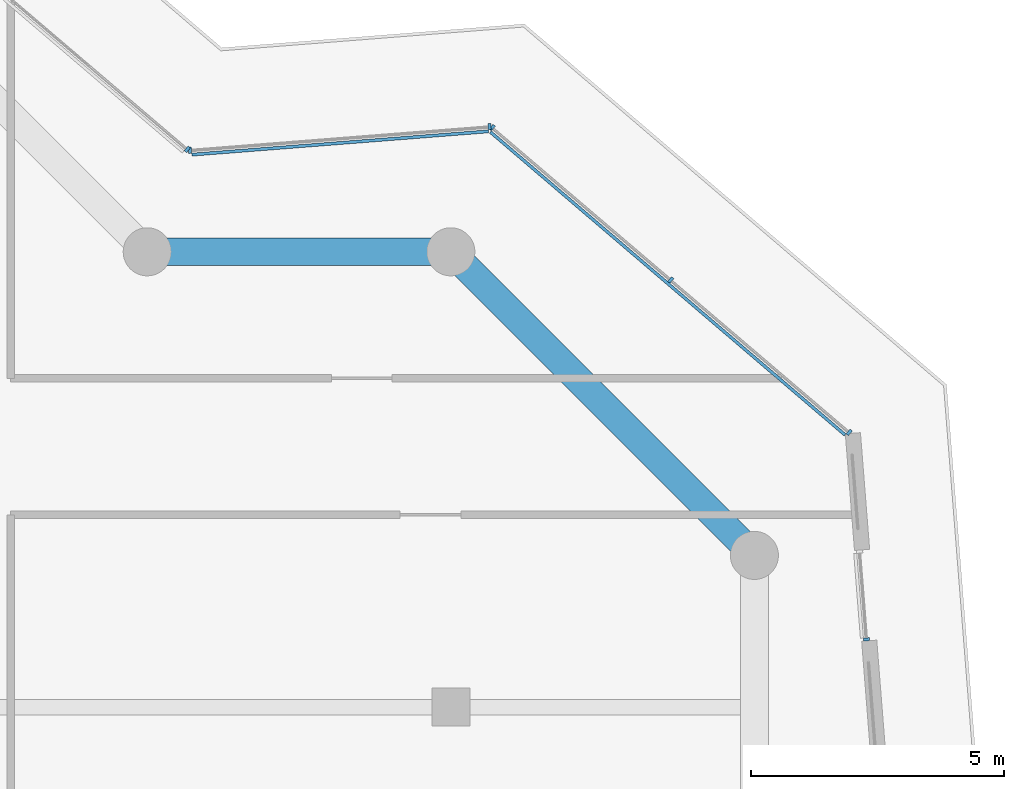
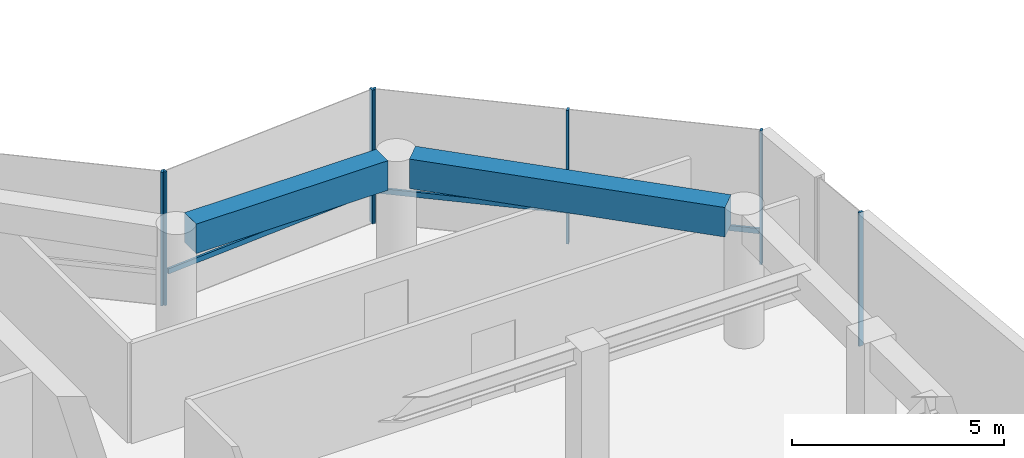
# One storey, part 8 of 23: 9 members, 2 beams, 4 elements without a shape of their own.
"""IFC4 building model written with IfcOpenShell, lengths in metres."""

import ifcopenshell
import ifcopenshell.guid

model = None  # the IFC model being written
_history = None  # IfcOwnerHistory: only IFC2X3 demands one
_inside = {}  # id of a spatial element -> (the spatial element, [elements in it])
_under = {}  # id of a project, library or spatial element -> (it, [spatial elements below it])
_declared = {}  # id of a project -> (the project, [libraries it declares])
_typed = {}  # id of a type object -> (the type object, [elements of that type])
_made_of = {}  # id of a material, layer set ... -> (it, [elements and type objects made of it])


def new_model(schema):
    """Start an empty IFC model of exactly this schema.

    Asked for "IFC4X3", IfcOpenShell would pick the latest addendum, in which some entities
    have other attributes; the version numbers below select the first issue.
    IFC2X3 requires an IfcOwnerHistory on every rooted entity: one is made here for all.
    """
    global model, _history
    if schema == "IFC4X3":
        model = ifcopenshell.file(schema_version=(4, 3, 0, 0))
    else:
        model = ifcopenshell.file(schema=schema)
    _inside.clear()
    _under.clear()
    _declared.clear()
    _typed.clear()
    _made_of.clear()
    _history = None
    if model.schema == "IFC2X3":
        org = make("IfcOrganization", Name="unknown")
        user = make(
            "IfcPersonAndOrganization",
            ThePerson=make("IfcPerson", FamilyName="unknown"),
            TheOrganization=org,
        )
        app = make(
            "IfcApplication",
            ApplicationDeveloper=org,
            Version="unknown",
            ApplicationFullName="unknown",
            ApplicationIdentifier="unknown",
        )
        _history = make(
            "IfcOwnerHistory",
            OwningUser=user,
            OwningApplication=app,
            ChangeAction="ADDED",
            CreationDate=0,
        )
    return model


def make(cls, **values):
    """One entity of the class cls with the attributes given. An attribute that is None is left unset."""
    return model.create_entity(
        cls, **{name: value for name, value in values.items() if value is not None}
    )


def rooted(cls, **values):
    """An entity with a GlobalId (a new one), such as an element, a storey or a relation."""
    return make(cls, GlobalId=ifcopenshell.guid.new(), OwnerHistory=_history, **values)


def si_unit(unit_type, name, prefix=None):
    """IfcSIUnit, for example si_unit("LENGTHUNIT", "METRE", prefix="MILLI")."""
    return make("IfcSIUnit", UnitType=unit_type, Prefix=prefix, Name=name)


def assignment(units):
    """IfcUnitAssignment: the units of a project."""
    return None if units is None else make("IfcUnitAssignment", Units=units)


def point(xyz):
    """IfcCartesianPoint."""
    return None if xyz is None else make("IfcCartesianPoint", Coordinates=xyz)


def direction(xyz):
    """IfcDirection."""
    return None if xyz is None else make("IfcDirection", DirectionRatios=xyz)


def frame(location, z_axis=None, x_axis=None):
    """IfcAxis2Placement3D, a coordinate frame: its origin and axes. An axis left out is left unset."""
    return make(
        "IfcAxis2Placement3D",
        Location=point(location),
        Axis=direction(z_axis),
        RefDirection=direction(x_axis),
    )


def frame_2d(location, x_axis=None):
    """IfcAxis2Placement2D, a coordinate frame in the plane: its origin and x axis."""
    return make(
        "IfcAxis2Placement2D", Location=point(location), RefDirection=direction(x_axis)
    )


def origin():
    """The frame at (0, 0, 0) with its axes left unset."""
    return frame((0.0, 0.0, 0.0))


def origin_2d():
    """The frame at (0, 0) in the plane with its x axis left unset."""
    return frame_2d((0.0, 0.0))


def place(relative_to, where):
    """IfcLocalPlacement: puts the frame where relative to a parent placement (None: the world)."""
    return make(
        "IfcLocalPlacement", PlacementRelTo=relative_to, RelativePlacement=where
    )


def context(
    kind, dimensions, precision=None, world=None, true_north=None, identifier=None
):
    """IfcGeometricRepresentationContext, for example the 3D "Model" context."""
    return make(
        "IfcGeometricRepresentationContext",
        ContextIdentifier=identifier,
        ContextType=kind,
        CoordinateSpaceDimension=dimensions,
        Precision=precision,
        WorldCoordinateSystem=world,
        TrueNorth=true_north,
    )


def subcontext(parent, identifier, kind, view, scale=None):
    """IfcGeometricRepresentationSubContext, for example "Body" below "Model"."""
    return make(
        "IfcGeometricRepresentationSubContext",
        ContextIdentifier=identifier,
        ContextType=kind,
        ParentContext=parent,
        TargetScale=scale,
        TargetView=view,
    )


def project(units=None, contexts=None):
    """IfcProject with its units and contexts."""
    return rooted(
        "IfcProject",
        Name="project",
        RepresentationContexts=contexts,
        UnitsInContext=assignment(units),
    )


def spatial(cls, under=None, at=None, **own):
    """A site, building, storey or space (cls), placed at a placement, below another one or the project."""
    s = rooted(cls, ObjectPlacement=at, **own)
    if under is not None:
        _under.setdefault(under.id(), (under, []))[1].append(s)
    return s


def profile(cls, at=None, kind="AREA", **sizes):
    """A parametric profile (cls). Its sizes go by their IFC names, for example OverallWidth=200.0."""
    return make(cls, ProfileType=kind, Position=at, **sizes)


def rectangle(**sizes):
    """IfcRectangleProfileDef."""
    return profile("IfcRectangleProfileDef", **sizes)


def extrude(swept, where, along, depth):
    """IfcExtrudedAreaSolid: the profile swept, set in the frame where, extruded along a direction by depth."""
    return make(
        "IfcExtrudedAreaSolid",
        SweptArea=swept,
        Position=where,
        ExtrudedDirection=direction(along),
        Depth=depth,
    )


def shape(context_of_items, identifier, shape_type, items):
    """IfcShapeRepresentation: the items that make up one representation, for example the "Body"."""
    return make(
        "IfcShapeRepresentation",
        ContextOfItems=context_of_items,
        RepresentationIdentifier=identifier,
        RepresentationType=shape_type,
        Items=items,
    )


def material(Name=None, Category=None):
    """IfcMaterial."""
    return make("IfcMaterial", Name=Name, Category=Category)


def layer(
    of_material, thickness, ventilated=None, Name=None, Category=None, Priority=None
):
    """IfcMaterialLayer: one layer of a wall or slab, of a material (None: an air gap)."""
    return make(
        "IfcMaterialLayer",
        Material=of_material,
        LayerThickness=thickness,
        IsVentilated=ventilated,
        Name=Name,
        Category=Category,
        Priority=Priority,
    )


def layer_set(layers, Name=None):
    """IfcMaterialLayerSet."""
    return make("IfcMaterialLayerSet", MaterialLayers=layers, LayerSetName=Name)


def material_profile(
    of_material, cross_section, Name=None, Category=None, Priority=None
):
    """IfcMaterialProfile: a cross section and its material."""
    return make(
        "IfcMaterialProfile",
        Name=Name,
        Material=of_material,
        Profile=cross_section,
        Priority=Priority,
        Category=Category,
    )


def profile_set(profiles, Name=None, composite=None):
    """IfcMaterialProfileSet."""
    return make(
        "IfcMaterialProfileSet",
        Name=Name,
        MaterialProfiles=profiles,
        CompositeProfile=composite,
    )


def made_of(thing, what):
    """Note that an element or type object is made of a material, layer set ...; save() writes the relation."""
    if what is not None:
        _made_of.setdefault(what.id(), (what, []))[1].append(thing)
    return thing


def type_object(cls, material=None, **own):
    """A type object (cls), such as IfcWallType, which elements share."""
    return made_of(rooted(cls, **own), material)


def element(
    cls,
    number,
    at=None,
    inside=None,
    cuts=None,
    type_object=None,
    material=None,
    context=None,
    identifier="Body",
    shape_type=None,
    held_by="IfcProductDefinitionShape",
    body=None,
    shapes=None,
    **own,
):
    """One element of the class cls, such as IfcWall. Its Tag is "e" and its number.

    at: its placement. inside: the storey or other place that contains it. cuts: it is an
    opening in that element (IfcRelVoidsElement). A single representation is given by context,
    identifier, shape_type and body (its items); several are given by shapes. held_by: the class
    of the entity that holds the representations. save() writes the other relations.
    """
    e = rooted(cls, Tag="e%d" % number, ObjectPlacement=at, **own)
    if body is not None:
        shapes = [shape(context, identifier, shape_type, body)]
    if shapes is not None:
        e.Representation = make(held_by, Representations=shapes)
    if inside is not None:
        _inside.setdefault(inside.id(), (inside, []))[1].append(e)
    if cuts is not None:
        rooted(
            "IfcRelVoidsElement", RelatingBuildingElement=cuts, RelatedOpeningElement=e
        )
    if type_object is not None:
        _typed.setdefault(type_object.id(), (type_object, []))[1].append(e)
    return made_of(e, material)


def aggregate(whole, parts):
    """IfcRelAggregates: a whole, such as a stair, and the parts it consists of."""
    return rooted("IfcRelAggregates", RelatingObject=whole, RelatedObjects=parts)


def save(model, path):
    """Write the relations noted so far, then the file.

    IfcRelAggregates (storeys below a building ...), IfcRelContainedInSpatialStructure (elements
    in a storey), IfcRelDefinesByType, IfcRelAssociatesMaterial and IfcRelDeclares: one each for
    every whole, place, type object, material and project.
    """
    for whole, parts in _under.values():
        aggregate(whole, parts)
    for where, things in _inside.values():
        rooted(
            "IfcRelContainedInSpatialStructure",
            RelatedElements=things,
            RelatingStructure=where,
        )
    for kind, things in _typed.values():
        rooted("IfcRelDefinesByType", RelatedObjects=things, RelatingType=kind)
    for what, things in _made_of.values():
        rooted("IfcRelAssociatesMaterial", RelatedObjects=things, RelatingMaterial=what)
    for by, libraries in _declared.values():
        rooted("IfcRelDeclares", RelatingContext=by, RelatedDefinitions=libraries)
    model.write(path)


model = new_model("IFC4")

# Units and contexts
model_context = context("Model", 3, precision=1e-05, world=origin(), true_north=direction((0.0, 1.0)))
body_context = subcontext(model_context, "Body", "Model", "MODEL_VIEW")
ifc_project = project(units=[si_unit("LENGTHUNIT", "METRE"), si_unit("AREAUNIT", "SQUARE_METRE"), si_unit("VOLUMEUNIT", "CUBIC_METRE"), si_unit("PLANEANGLEUNIT", "RADIAN"), si_unit("MASSUNIT", "GRAM", prefix="KILO")], contexts=[model_context])

# Site, building, storey
site_placement = place(None, origin())
site = spatial("IfcSite", under=ifc_project, at=site_placement, CompositionType="ELEMENT")
building_placement = place(site_placement, origin())
building = spatial("IfcBuilding", under=site, at=building_placement, Name="Welwitschia Terrace Campus", CompositionType="ELEMENT")
storey_placement = place(building_placement, frame((0.0, 0.0, 188.60009765625)))
storey = spatial("IfcBuildingStorey", under=building, at=storey_placement, Name="L42", CompositionType="ELEMENT", Elevation=188.60009765625)

# Curtain wall, member
ifc_material_1 = material(Name="Bronze anodised aluminium", Category="aluminium")
ifc_layer = layer(ifc_material_1, 0.1201171875)
ifc_layer_set = layer_set([ifc_layer], Name="Bronze anodised aluminium")
curtain_wall_type = type_object("IfcCurtainWallType", Name="Curtain wall CW2 tower 6000", PredefinedType="NOTDEFINED", material=ifc_layer_set)
curtain_wall_1_placement = place(storey_placement, origin())
curtain_wall_1 = element("IfcCurtainWall", 1, at=curtain_wall_1_placement, inside=storey, type_object=curtain_wall_type, Name="CW L42.5.S0", PredefinedType="NOTDEFINED")
ifc_material_2 = material(Name="Bronze anodised aluminium", Category="aluminium")
ifc_material_profile_1 = material_profile(ifc_material_2, rectangle(XDim=0.1201171875, YDim=0.06005859375, at=origin_2d()))
ifc_profile_set_1 = profile_set([ifc_material_profile_1], Name="Bronze anodised aluminium")
member_type_1 = type_object("IfcMemberType", Name="Mullion 60x120", PredefinedType="MULLION", material=ifc_profile_set_1)
member_1_placement = place(storey_placement, frame((44.217041015625, 12.340087890625, 0.0), z_axis=(0.0, 0.0, 1.0), x_axis=(-0.996917333733, -0.078459095728, 0.0)))
member_1 = element("IfcMember", 2, at=member_1_placement, type_object=member_type_1, Name="Mullion L42.5.S0.0", PredefinedType="MULLION", context=body_context, shape_type="SweptSolid", body=[
    extrude(rectangle(XDim=0.1201171875, YDim=0.06005859375, at=origin_2d()), origin(), (0.0, 0.0, 1.0), 3.849853515625),
])
aggregate(curtain_wall_1, [member_1])

# Curtain wall, members
curtain_wall_2_placement = place(storey_placement, origin())
curtain_wall_2 = element("IfcCurtainWall", 3, at=curtain_wall_2_placement, inside=storey, type_object=curtain_wall_type, Name="CW L42.6.0", PredefinedType="NOTDEFINED")
member_2_placement = place(storey_placement, frame((43.8740234375, 16.43017578125, 0.0), z_axis=(0.0, 0.0, 1.0), x_axis=(-0.64944804833, -0.7604059656, 0.0)))
member_2 = element("IfcMember", 4, at=member_2_placement, type_object=member_type_1, Name="Mullion L42.6.0.0", PredefinedType="MULLION", context=body_context, shape_type="SweptSolid", body=[
    extrude(rectangle(XDim=0.1201171875, YDim=0.06005859375, at=origin_2d()), origin(), (0.0, 0.0, 1.0), 3.849853515625),
])
member_3_placement = place(storey_placement, frame((40.34619140625, 19.443115234375, 0.0), z_axis=(0.0, 0.0, 1.0), x_axis=(-0.64944804833, -0.7604059656, 0.0)))
member_3 = element("IfcMember", 5, at=member_3_placement, type_object=member_type_1, Name="Mullion L42.6.0.1", PredefinedType="MULLION", context=body_context, shape_type="SweptSolid", body=[
    extrude(rectangle(XDim=0.1201171875, YDim=0.06005859375, at=origin_2d()), origin(), (0.0, 0.0, 1.0), 3.849853515625),
])
member_4_placement = place(storey_placement, frame((36.818603515625, 22.4560546875, 0.0), z_axis=(0.0, 0.0, 1.0), x_axis=(-0.64944804833, -0.7604059656, 0.0)))
member_4 = element("IfcMember", 6, at=member_4_placement, type_object=member_type_1, Name="Mullion L42.6.0.2", PredefinedType="MULLION", context=body_context, shape_type="SweptSolid", body=[
    extrude(rectangle(XDim=0.1201171875, YDim=0.06005859375, at=origin_2d()), origin(), (0.0, 0.0, 1.0), 3.849853515625),
])

curtain_wall_3_placement = place(storey_placement, origin())
curtain_wall_3 = element("IfcCurtainWall", 7, at=curtain_wall_3_placement, inside=storey, type_object=curtain_wall_type, Name="CW L42.7.0", PredefinedType="NOTDEFINED")
member_5_placement = place(storey_placement, frame((36.765869140625, 22.473388671875, 0.0), z_axis=(0.0, 0.0, 1.0), x_axis=(0.078459095728, -0.996917333733, 0.0)))
member_5 = element("IfcMember", 8, at=member_5_placement, type_object=member_type_1, Name="Mullion L42.7.0.0", PredefinedType="MULLION", context=body_context, shape_type="SweptSolid", body=[
    extrude(rectangle(XDim=0.1201171875, YDim=0.06005859375, at=origin_2d()), origin(), (0.0, 0.0, 1.0), 3.849853515625),
])
member_6_placement = place(storey_placement, frame((30.843994140625, 22.00732421875, 0.0), z_axis=(0.0, 0.0, 1.0), x_axis=(0.078459095728, -0.996917333733, 0.0)))
member_6 = element("IfcMember", 9, at=member_6_placement, type_object=member_type_1, Name="Mullion L42.7.0.1", PredefinedType="MULLION", context=body_context, shape_type="SweptSolid", body=[
    extrude(rectangle(XDim=0.1201171875, YDim=0.06005859375, at=origin_2d()), origin(), (0.0, 0.0, 1.0), 3.849853515625),
])

# Curtain wall, member
curtain_wall_4_placement = place(storey_placement, origin())
curtain_wall_4 = element("IfcCurtainWall", 10, at=curtain_wall_4_placement, inside=storey, type_object=curtain_wall_type, Name="CW L42.8.0", PredefinedType="NOTDEFINED")
member_7_placement = place(storey_placement, frame((30.791259765625, 22.0244140625, 0.0), z_axis=(0.0, 0.0, 1.0), x_axis=(-0.64944804833, -0.7604059656, 0.0)))
member_7 = element("IfcMember", 11, at=member_7_placement, type_object=member_type_1, Name="Mullion L42.8.0.0", PredefinedType="MULLION", context=body_context, shape_type="SweptSolid", body=[
    extrude(rectangle(XDim=0.1201171875, YDim=0.06005859375, at=origin_2d()), origin(), (0.0, 0.0, 1.0), 3.849853515625),
])
aggregate(curtain_wall_4, [member_7])

# Beams
ifc_material_3 = material(Name="Concrete C50/60", Category="concrete")
ifc_material_profile_2 = material_profile(ifc_material_3, rectangle(XDim=0.550048828125, YDim=0.85009765625, at=origin_2d()))
ifc_profile_set_2 = profile_set([ifc_material_profile_2], Name="Concrete C50/60")
beam_type = type_object("IfcBeamType", Name="Ring spandrel 550x850", PredefinedType="SPANDREL", material=ifc_profile_set_2)
beam_1_placement = place(storey_placement, frame((41.7255859375, 14.2744140625, 3.4248046875), z_axis=(-0.707106781187, 0.707106781187, 0.0), x_axis=(-0.707106781187, -0.707106781187, 0.0)))
element("IfcBeam", 12, at=beam_1_placement, inside=storey, type_object=beam_type, Name="Spandrel SP3", PredefinedType="SPANDREL", context=body_context, shape_type="SweptSolid", body=[
    extrude(rectangle(XDim=0.550048828125, YDim=0.85009765625, at=origin_2d()), origin(), (0.0, 0.0, 1.0), 7.709228515625),
])
beam_2_placement = place(storey_placement, frame((35.612060546875, 20.0, 3.4248046875), z_axis=(-1.0, 0.0, 0.0), x_axis=(0.0, -1.0, 0.0)))
element("IfcBeam", 13, at=beam_2_placement, inside=storey, type_object=beam_type, Name="Spandrel SP3", PredefinedType="SPANDREL", context=body_context, shape_type="SweptSolid", body=[
    extrude(rectangle(XDim=0.550048828125, YDim=0.85009765625, at=origin_2d()), origin(), (0.0, 0.0, 1.0), 5.22412109375),
])

# Member
ifc_material_4 = material(Name="Bronze anodised aluminium", Category="aluminium")
ifc_material_profile_3 = material_profile(ifc_material_4, rectangle(XDim=0.06005859375, YDim=0.14990234375, at=origin_2d()))
ifc_profile_set_3 = profile_set([ifc_material_profile_3], Name="Bronze anodised aluminium")
member_type_2 = type_object("IfcMemberType", Name="Transom 60x150", PredefinedType="USERDEFINED", material=ifc_profile_set_3)
member_8_placement = place(storey_placement, frame((43.792724609375, 16.38134765625, 1.0), z_axis=(-0.760410734722, 0.649442464365, 0.0), x_axis=(-0.649442464365, -0.760410734722, 0.0)))
member_8 = element("IfcMember", 14, at=member_8_placement, type_object=member_type_2, Name="Transom L42.6.0", ObjectType="TRANSOM", PredefinedType="USERDEFINED", context=body_context, shape_type="SweptSolid", body=[
    extrude(rectangle(XDim=0.06005859375, YDim=0.14990234375, at=origin_2d()), origin(), (0.0, 0.0, 1.0), 9.218505859375),
])

aggregate(curtain_wall_2, [member_2, member_3, member_4, member_8])

member_9_placement = place(storey_placement, frame((36.742919921875, 22.381103515625, 1.0), z_axis=(-0.996919372864, -0.078433181813, 0.0), x_axis=(0.078433181813, -0.996919372864, 0.0)))
member_9 = element("IfcMember", 15, at=member_9_placement, type_object=member_type_2, Name="Transom L42.7.0", ObjectType="TRANSOM", PredefinedType="USERDEFINED", context=body_context, shape_type="SweptSolid", body=[
    extrude(rectangle(XDim=0.06005859375, YDim=0.14990234375, at=origin_2d()), origin(), (0.0, 0.0, 1.0), 5.8798828125),
])

aggregate(curtain_wall_3, [member_5, member_6, member_9])

save(model, "model.ifc")
